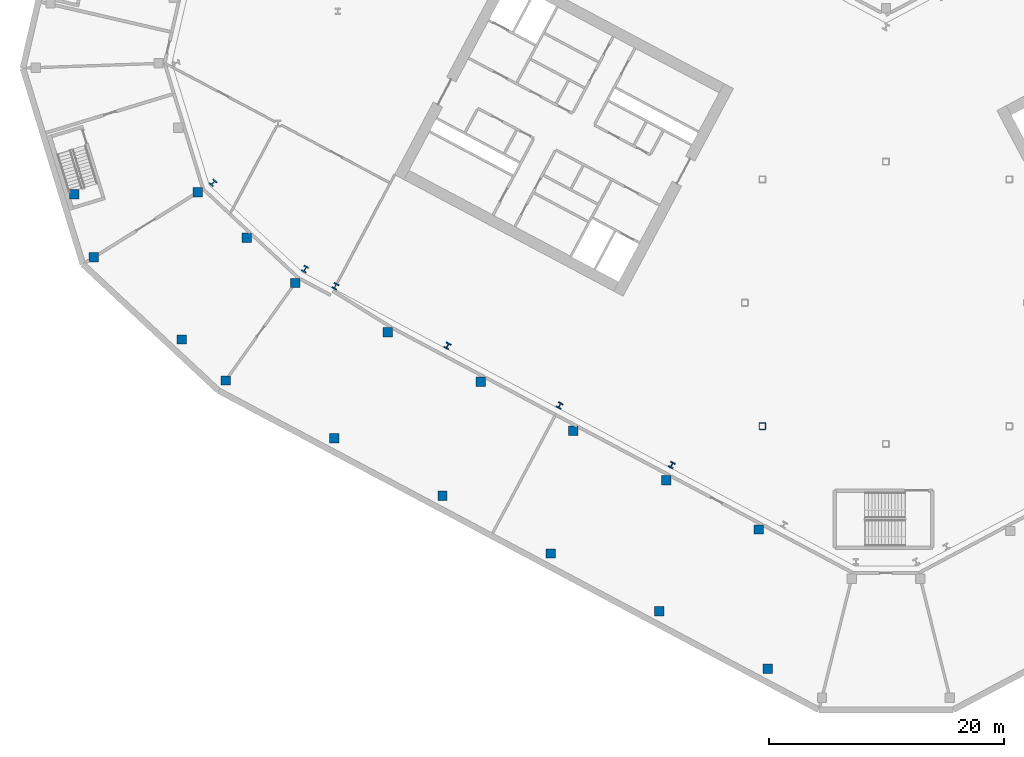
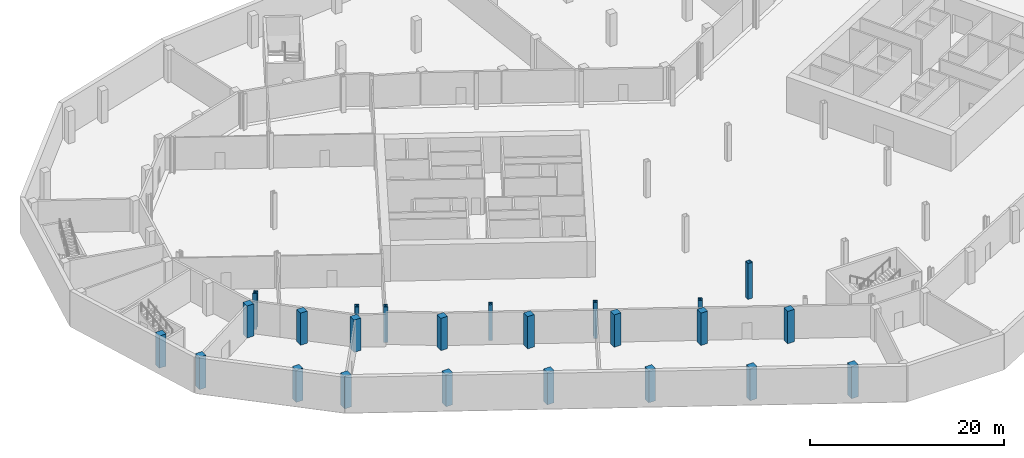
# One storey, part 1 of 27: 24 columns.
"""IFC4 building model written with IfcOpenShell, lengths in metres."""

import ifcopenshell
import ifcopenshell.guid

model = None  # the IFC model being written
_history = None  # IfcOwnerHistory: only IFC2X3 demands one
_inside = {}  # id of a spatial element -> (the spatial element, [elements in it])
_under = {}  # id of a project, library or spatial element -> (it, [spatial elements below it])
_declared = {}  # id of a project -> (the project, [libraries it declares])
_typed = {}  # id of a type object -> (the type object, [elements of that type])
_made_of = {}  # id of a material, layer set ... -> (it, [elements and type objects made of it])


def new_model(schema):
    """Start an empty IFC model of exactly this schema.

    Asked for "IFC4X3", IfcOpenShell would pick the latest addendum, in which some entities
    have other attributes; the version numbers below select the first issue.
    IFC2X3 requires an IfcOwnerHistory on every rooted entity: one is made here for all.
    """
    global model, _history
    if schema == "IFC4X3":
        model = ifcopenshell.file(schema_version=(4, 3, 0, 0))
    else:
        model = ifcopenshell.file(schema=schema)
    _inside.clear()
    _under.clear()
    _declared.clear()
    _typed.clear()
    _made_of.clear()
    _history = None
    if model.schema == "IFC2X3":
        org = make("IfcOrganization", Name="unknown")
        user = make(
            "IfcPersonAndOrganization",
            ThePerson=make("IfcPerson", FamilyName="unknown"),
            TheOrganization=org,
        )
        app = make(
            "IfcApplication",
            ApplicationDeveloper=org,
            Version="unknown",
            ApplicationFullName="unknown",
            ApplicationIdentifier="unknown",
        )
        _history = make(
            "IfcOwnerHistory",
            OwningUser=user,
            OwningApplication=app,
            ChangeAction="ADDED",
            CreationDate=0,
        )
    return model


def make(cls, **values):
    """One entity of the class cls with the attributes given. An attribute that is None is left unset."""
    return model.create_entity(
        cls, **{name: value for name, value in values.items() if value is not None}
    )


def rooted(cls, **values):
    """An entity with a GlobalId (a new one), such as an element, a storey or a relation."""
    return make(cls, GlobalId=ifcopenshell.guid.new(), OwnerHistory=_history, **values)


def si_unit(unit_type, name, prefix=None):
    """IfcSIUnit, for example si_unit("LENGTHUNIT", "METRE", prefix="MILLI")."""
    return make("IfcSIUnit", UnitType=unit_type, Prefix=prefix, Name=name)


def assignment(units):
    """IfcUnitAssignment: the units of a project."""
    return None if units is None else make("IfcUnitAssignment", Units=units)


def point(xyz):
    """IfcCartesianPoint."""
    return None if xyz is None else make("IfcCartesianPoint", Coordinates=xyz)


def direction(xyz):
    """IfcDirection."""
    return None if xyz is None else make("IfcDirection", DirectionRatios=xyz)


def frame(location, z_axis=None, x_axis=None):
    """IfcAxis2Placement3D, a coordinate frame: its origin and axes. An axis left out is left unset."""
    return make(
        "IfcAxis2Placement3D",
        Location=point(location),
        Axis=direction(z_axis),
        RefDirection=direction(x_axis),
    )


def frame_2d(location, x_axis=None):
    """IfcAxis2Placement2D, a coordinate frame in the plane: its origin and x axis."""
    return make(
        "IfcAxis2Placement2D", Location=point(location), RefDirection=direction(x_axis)
    )


def origin():
    """The frame at (0, 0, 0) with its axes left unset."""
    return frame((0.0, 0.0, 0.0))


def origin_2d():
    """The frame at (0, 0) in the plane with its x axis left unset."""
    return frame_2d((0.0, 0.0))


def place(relative_to, where):
    """IfcLocalPlacement: puts the frame where relative to a parent placement (None: the world)."""
    return make(
        "IfcLocalPlacement", PlacementRelTo=relative_to, RelativePlacement=where
    )


def context(
    kind, dimensions, precision=None, world=None, true_north=None, identifier=None
):
    """IfcGeometricRepresentationContext, for example the 3D "Model" context."""
    return make(
        "IfcGeometricRepresentationContext",
        ContextIdentifier=identifier,
        ContextType=kind,
        CoordinateSpaceDimension=dimensions,
        Precision=precision,
        WorldCoordinateSystem=world,
        TrueNorth=true_north,
    )


def subcontext(parent, identifier, kind, view, scale=None):
    """IfcGeometricRepresentationSubContext, for example "Body" below "Model"."""
    return make(
        "IfcGeometricRepresentationSubContext",
        ContextIdentifier=identifier,
        ContextType=kind,
        ParentContext=parent,
        TargetScale=scale,
        TargetView=view,
    )


def project(units=None, contexts=None):
    """IfcProject with its units and contexts."""
    return rooted(
        "IfcProject",
        Name="project",
        RepresentationContexts=contexts,
        UnitsInContext=assignment(units),
    )


def spatial(cls, under=None, at=None, **own):
    """A site, building, storey or space (cls), placed at a placement, below another one or the project."""
    s = rooted(cls, ObjectPlacement=at, **own)
    if under is not None:
        _under.setdefault(under.id(), (under, []))[1].append(s)
    return s


def profile(cls, at=None, kind="AREA", **sizes):
    """A parametric profile (cls). Its sizes go by their IFC names, for example OverallWidth=200.0."""
    return make(cls, ProfileType=kind, Position=at, **sizes)


def rectangle(**sizes):
    """IfcRectangleProfileDef."""
    return profile("IfcRectangleProfileDef", **sizes)


def hollow_rectangle(**sizes):
    """IfcRectangleHollowProfileDef."""
    return profile("IfcRectangleHollowProfileDef", **sizes)


def i_section(**sizes):
    """IfcIShapeProfileDef."""
    return profile("IfcIShapeProfileDef", **sizes)


def extrude(swept, where, along, depth):
    """IfcExtrudedAreaSolid: the profile swept, set in the frame where, extruded along a direction by depth."""
    return make(
        "IfcExtrudedAreaSolid",
        SweptArea=swept,
        Position=where,
        ExtrudedDirection=direction(along),
        Depth=depth,
    )


def shape(context_of_items, identifier, shape_type, items):
    """IfcShapeRepresentation: the items that make up one representation, for example the "Body"."""
    return make(
        "IfcShapeRepresentation",
        ContextOfItems=context_of_items,
        RepresentationIdentifier=identifier,
        RepresentationType=shape_type,
        Items=items,
    )


def material(Name=None, Category=None):
    """IfcMaterial."""
    return make("IfcMaterial", Name=Name, Category=Category)


def material_profile(
    of_material, cross_section, Name=None, Category=None, Priority=None
):
    """IfcMaterialProfile: a cross section and its material."""
    return make(
        "IfcMaterialProfile",
        Name=Name,
        Material=of_material,
        Profile=cross_section,
        Priority=Priority,
        Category=Category,
    )


def profile_set(profiles, Name=None, composite=None):
    """IfcMaterialProfileSet."""
    return make(
        "IfcMaterialProfileSet",
        Name=Name,
        MaterialProfiles=profiles,
        CompositeProfile=composite,
    )


def made_of(thing, what):
    """Note that an element or type object is made of a material, layer set ...; save() writes the relation."""
    if what is not None:
        _made_of.setdefault(what.id(), (what, []))[1].append(thing)
    return thing


def type_object(cls, material=None, **own):
    """A type object (cls), such as IfcWallType, which elements share."""
    return made_of(rooted(cls, **own), material)


def element(
    cls,
    number,
    at=None,
    inside=None,
    cuts=None,
    type_object=None,
    material=None,
    context=None,
    identifier="Body",
    shape_type=None,
    held_by="IfcProductDefinitionShape",
    body=None,
    shapes=None,
    **own,
):
    """One element of the class cls, such as IfcWall. Its Tag is "e" and its number.

    at: its placement. inside: the storey or other place that contains it. cuts: it is an
    opening in that element (IfcRelVoidsElement). A single representation is given by context,
    identifier, shape_type and body (its items); several are given by shapes. held_by: the class
    of the entity that holds the representations. save() writes the other relations.
    """
    e = rooted(cls, Tag="e%d" % number, ObjectPlacement=at, **own)
    if body is not None:
        shapes = [shape(context, identifier, shape_type, body)]
    if shapes is not None:
        e.Representation = make(held_by, Representations=shapes)
    if inside is not None:
        _inside.setdefault(inside.id(), (inside, []))[1].append(e)
    if cuts is not None:
        rooted(
            "IfcRelVoidsElement", RelatingBuildingElement=cuts, RelatedOpeningElement=e
        )
    if type_object is not None:
        _typed.setdefault(type_object.id(), (type_object, []))[1].append(e)
    return made_of(e, material)


def aggregate(whole, parts):
    """IfcRelAggregates: a whole, such as a stair, and the parts it consists of."""
    return rooted("IfcRelAggregates", RelatingObject=whole, RelatedObjects=parts)


def save(model, path):
    """Write the relations noted so far, then the file.

    IfcRelAggregates (storeys below a building ...), IfcRelContainedInSpatialStructure (elements
    in a storey), IfcRelDefinesByType, IfcRelAssociatesMaterial and IfcRelDeclares: one each for
    every whole, place, type object, material and project.
    """
    for whole, parts in _under.values():
        aggregate(whole, parts)
    for where, things in _inside.values():
        rooted(
            "IfcRelContainedInSpatialStructure",
            RelatedElements=things,
            RelatingStructure=where,
        )
    for kind, things in _typed.values():
        rooted("IfcRelDefinesByType", RelatedObjects=things, RelatingType=kind)
    for what, things in _made_of.values():
        rooted("IfcRelAssociatesMaterial", RelatedObjects=things, RelatingMaterial=what)
    for by, libraries in _declared.values():
        rooted("IfcRelDeclares", RelatingContext=by, RelatedDefinitions=libraries)
    model.write(path)


model = new_model("IFC4")

# Units and contexts
model_context = context("Model", 3, precision=1e-05, world=origin(), true_north=direction((0.0, 1.0)))
body_context = subcontext(model_context, "Body", "Model", "MODEL_VIEW")
ifc_project = project(units=[si_unit("LENGTHUNIT", "METRE"), si_unit("AREAUNIT", "SQUARE_METRE"), si_unit("VOLUMEUNIT", "CUBIC_METRE"), si_unit("PLANEANGLEUNIT", "RADIAN"), si_unit("MASSUNIT", "GRAM", prefix="KILO")], contexts=[model_context])

# Site, building, storey
site_placement = place(None, origin())
site = spatial("IfcSite", under=ifc_project, at=site_placement, CompositionType="ELEMENT")
building_placement = place(site_placement, origin())
building = spatial("IfcBuilding", under=site, at=building_placement, Name="Cormorant Relay Tower", CompositionType="ELEMENT")
storey_placement = place(building_placement, frame((0.0, 0.0, -4.5)))
storey = spatial("IfcBuildingStorey", under=building, at=storey_placement, Name="B1", CompositionType="ELEMENT", Elevation=-4.5)

# Columns
ifc_material_1 = material(Name="Concrete 50 MPa", Category="concrete")
ifc_material_profile_1 = material_profile(ifc_material_1, rectangle(XDim=0.800048828125, YDim=0.800048828125, at=origin_2d()), Name="RC 800x800")
ifc_profile_set_1 = profile_set([ifc_material_profile_1], Name="Concrete 50 MPa")
column_type_1 = type_object("IfcColumnType", Name="Base column 800 x 800", PredefinedType="COLUMN", material=ifc_profile_set_1)
for number, where, z_axis, x_axis, name in (
    (1, (-10.051025390625, -31.1240234375, 0.0), (0.0, 0.0, 1.0), (1.0, 0.0, 0.0), "Base column"),
    (2, (-19.27099609375, -26.221923828125, 0.0), (0.0, 0.0, 1.0), (1.0, 0.0, 0.0), "Base column"),
    (3, (-28.490966796875, -21.320068359375, 0.0), (0.0, 0.0, 1.0), (1.0, 0.0, 0.0), "Base column"),
    (4, (-10.80908203125, -19.282958984375, 0.0), (0.0, 0.0, 1.0), (1.0, 0.0, 0.0), "Base column"),
    (5, (-37.7109375, -16.4169921875, 0.0), (0.0, 0.0, 1.0), (1.0, 0.0, 0.0), "Base column"),
    (6, (-18.694091796875, -15.090087890625, 0.0), (0.0, 0.0, 1.0), (1.0, 0.0, 0.0), "Base column"),
    (7, (-46.930908203125, -11.514892578125, 0.0), (0.0, 0.0, 1.0), (1.0, 0.0, 0.0), "Base column"),
    (8, (-26.5791015625, -10.89697265625, 0.0), (0.0, 0.0, 1.0), (1.0, 0.0, 0.0), "Base column"),
    (9, (-34.465087890625, -6.7041015625, 0.0), (0.0, 0.0, 1.0), (1.0, 0.0, 0.0), "Base column"),
    (10, (-56.152099609375, -6.612060546875, 0.0), (0.0, 0.0, 1.0), (1.0, 0.0, 0.0), "Base column"),
    (11, (-59.89306640625, -3.1240234375, 0.0), (0.0, 0.0, 1.0), (1.0, 0.0, 0.0), "Base column"),
    (12, (-42.35009765625, -2.511962890625, 0.0), (0.0, 0.0, 1.0), (1.0, 0.0, 0.0), "Base column"),
    (13, (-50.236083984375, 1.680908203125, 0.0), (0.0, 0.0, 1.0), (1.0, 0.0, 0.0), "Base column"),
    (14, (-67.375, 3.85302734375, 0.0), (0.0, 0.0, 1.0), (1.0, 0.0, 0.0), "Base column"),
    (15, (-54.3720703125, 5.5380859375, 0.0), (0.0, 0.0, 1.0), (1.0, 0.0, 0.0), "Base column"),
    (16, (-69.01904296875, 9.23193359375, 0.0), (0.0, 0.0, 1.0), (1.0, 0.0, 0.0), "Base column"),
    (17, (-58.507080078125, 9.39404296875, 0.0), (0.0, 0.0, 1.0), (1.0, 0.0, 0.0), "Base column"),
):
    element("IfcColumn", number, at=place(storey_placement, frame(where, z_axis=z_axis, x_axis=x_axis)), inside=storey, type_object=column_type_1, Name=name, PredefinedType="COLUMN", context=body_context, shape_type="SweptSolid", body=[
        extrude(rectangle(XDim=0.800048828125, YDim=0.800048828125, at=origin_2d()), origin(), (0.0, 0.0, 1.0), 4.050048828125),
    ])
ifc_material_2 = material(Name="Steel ASTM A1085 Grade A (Fy 345 MPa)", Category="steel")
ifc_material_profile_2 = material_profile(ifc_material_2, hollow_rectangle(XDim=0.558837890625, YDim=0.558837890625, WallThickness=0.023681640625, InnerFilletRadius=0.01171875, OuterFilletRadius=0.035400390625, at=origin_2d()), Name="HSS559x559x24")
ifc_profile_set_2 = profile_set([ifc_material_profile_2], Name="Steel ASTM A1085 Grade A (Fy 345 MPa)")
column_type_2 = type_object("IfcColumnType", Name="Column HSS559x559x24", PredefinedType="COLUMN", material=ifc_profile_set_2)
column_placement = place(storey_placement, frame((-10.5, -10.5, 0.0), z_axis=(0.0, 0.0, 1.0), x_axis=(1.0, 0.0, 0.0)))
element("IfcColumn", 18, at=column_placement, inside=storey, type_object=column_type_2, Name="Column B1-009", PredefinedType="COLUMN", context=body_context, shape_type="SweptSolid", body=[
    extrude(hollow_rectangle(XDim=0.558837890625, YDim=0.558837890625, WallThickness=0.023681640625, InnerFilletRadius=0.01171875, OuterFilletRadius=0.035400390625, at=origin_2d()), origin(), (0.0, 0.0, 1.0), 4.5),
])
ifc_material_3 = material(Name="Steel ASTM A992 (Fy 345 MPa)", Category="steel")
ifc_material_profile_3 = material_profile(ifc_material_3, i_section(OverallWidth=0.45458984375, OverallDepth=0.569091796875, WebThickness=0.077880859375, FlangeThickness=0.124755859375, FilletRadius=0.015380859375, at=origin_2d()), Name="W360x1086")
ifc_profile_set_3 = profile_set([ifc_material_profile_3], Name="Steel ASTM A992 (Fy 345 MPa)")
column_type_3 = type_object("IfcColumnType", Name="Column W360x1086", PredefinedType="COLUMN", material=ifc_profile_set_3)
for number, where, z_axis, x_axis, name in (
    (19, (-49.39404296875, 2.861083984375, 0.0), (0.0, 0.0, 1.0), (0.882947592859, -0.469471562786, 0.0), "Column B1-018"),
    (20, (-57.218994140625, 10.198974609375, 0.0), (0.0, 0.0, 1.0), (0.731353701619, -0.681998360062, 0.0), "Column B1-021"),
):
    element("IfcColumn", number, at=place(storey_placement, frame(where, z_axis=z_axis, x_axis=x_axis)), inside=storey, type_object=column_type_3, Name=name, PredefinedType="COLUMN", context=body_context, shape_type="SweptSolid", body=[
        extrude(i_section(OverallWidth=0.45458984375, OverallDepth=0.569091796875, WebThickness=0.077880859375, FlangeThickness=0.124755859375, FilletRadius=0.015380859375, at=origin_2d()), origin(), (0.0, 0.0, 1.0), 4.5),
    ])
ifc_material_4 = material(Name="Steel ASTM A992 (Fy 345 MPa)", Category="steel")
ifc_material_profile_4 = material_profile(ifc_material_4, i_section(OverallWidth=0.43701171875, OverallDepth=0.51318359375, WebThickness=0.060546875, FlangeThickness=0.096923828125, FilletRadius=0.015380859375, at=origin_2d()), Name="W360x818")
ifc_profile_set_4 = profile_set([ifc_material_profile_4], Name="Steel ASTM A992 (Fy 345 MPa)")
column_type_4 = type_object("IfcColumnType", Name="Column W360x818", PredefinedType="COLUMN", material=ifc_profile_set_4)
for number, where, z_axis, x_axis, name in (
    (21, (-18.212890625, -13.804931640625, 0.0), (0.0, 0.0, 1.0), (0.882947592859, -0.469471562786, 0.0), "Column B1-006"),
    (22, (-27.7490234375, -8.735107421875, 0.0), (0.0, 0.0, 1.0), (0.882947592859, -0.469471562786, 0.0), "Column B1-011"),
    (23, (-37.284912109375, -3.6650390625, 0.0), (0.0, 0.0, 1.0), (0.882947592859, -0.469471562786, 0.0), "Column B1-013"),
    (24, (-46.821044921875, 1.405029296875, 0.0), (0.0, 0.0, 1.0), (0.882947592859, -0.469471562786, 0.0), "Column B1-017"),
):
    element("IfcColumn", number, at=place(storey_placement, frame(where, z_axis=z_axis, x_axis=x_axis)), inside=storey, type_object=column_type_4, Name=name, PredefinedType="COLUMN", context=body_context, shape_type="SweptSolid", body=[
        extrude(i_section(OverallWidth=0.43701171875, OverallDepth=0.51318359375, WebThickness=0.060546875, FlangeThickness=0.096923828125, FilletRadius=0.015380859375, at=origin_2d()), origin(), (0.0, 0.0, 1.0), 4.5),
    ])

save(model, "model.ifc")
